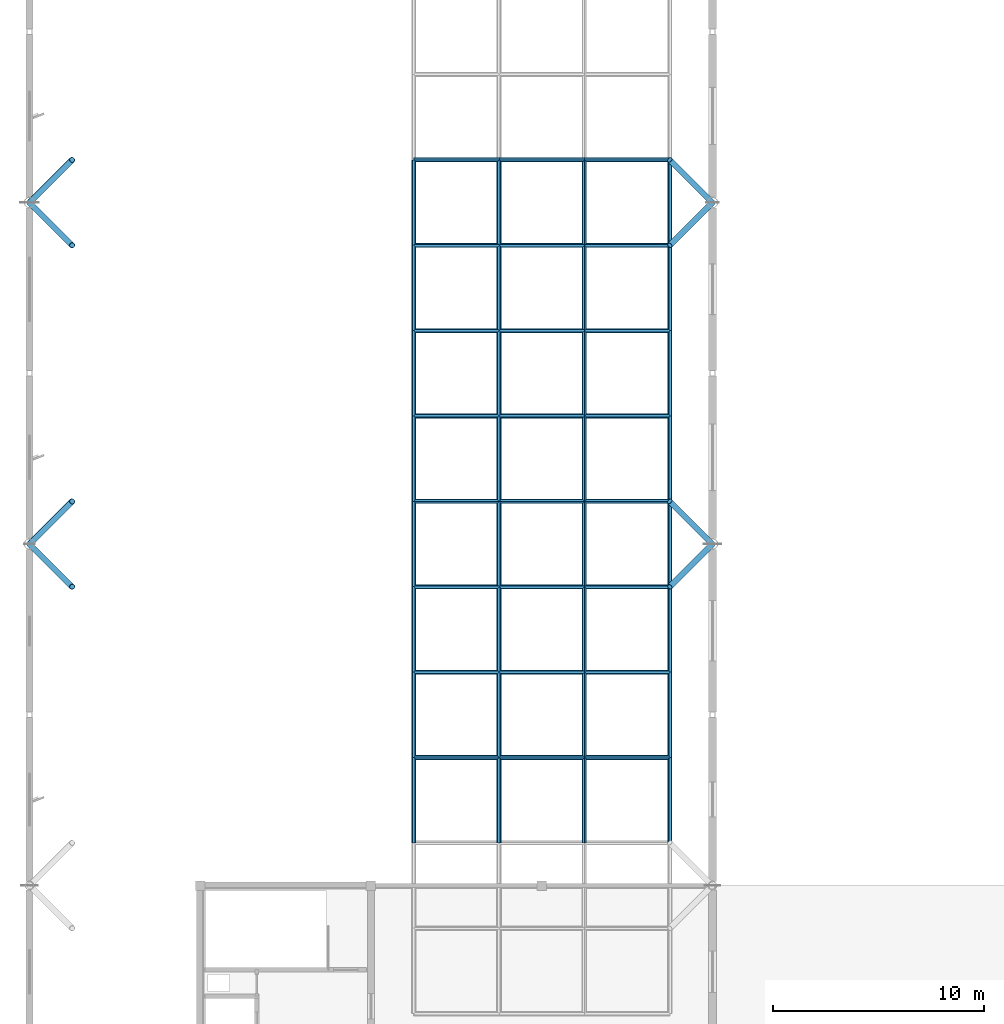
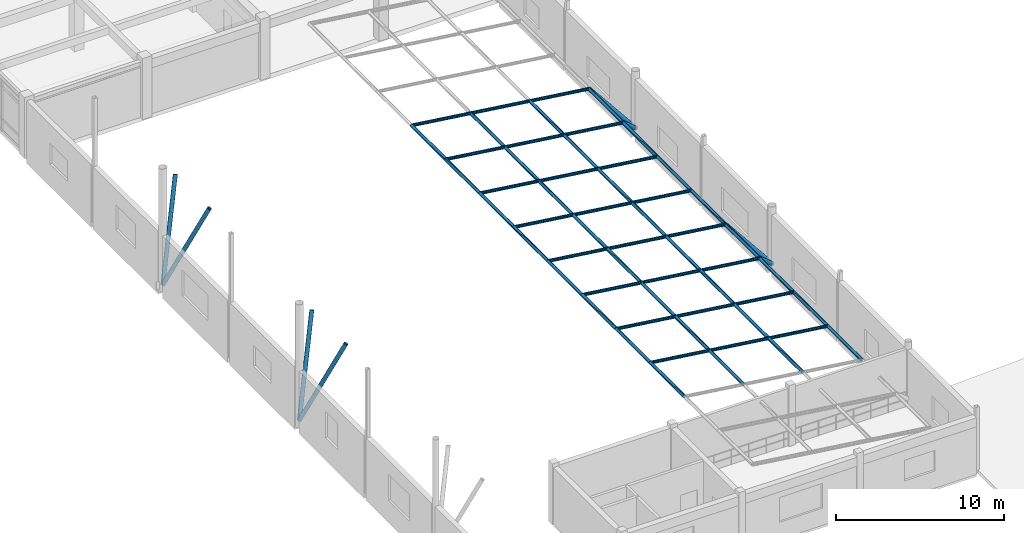
# One storey, part 29 of 89: 64 members.
"""IFC4 building model written with IfcOpenShell, lengths in metres."""

from ifc_helpers import new_model, si_unit, direction, frame, origin, origin_2d, place, context, subcontext, project, spatial, hollow_circle, extrude, material, material_profile, profile_set, type_object, element, save


model = new_model("IFC4")

# Units and contexts
model_context = context("Model", 3, precision=1e-05, world=origin(), true_north=direction((0.0, 1.0)))
body_context = subcontext(model_context, "Body", "Model", "MODEL_VIEW")
ifc_project = project(units=[si_unit("LENGTHUNIT", "METRE"), si_unit("AREAUNIT", "SQUARE_METRE"), si_unit("VOLUMEUNIT", "CUBIC_METRE"), si_unit("PLANEANGLEUNIT", "RADIAN"), si_unit("MASSUNIT", "GRAM", prefix="KILO")], contexts=[model_context])

# Site, building, storey
site_placement = place(None, origin())
site = spatial("IfcSite", under=ifc_project, at=site_placement, CompositionType="ELEMENT")
building_placement = place(site_placement, origin())
building = spatial("IfcBuilding", under=site, at=building_placement, Name="Vaudrelin Polytechnic", CompositionType="ELEMENT")
storey_placement = place(building_placement, frame((0.0, 0.0, 9.68994140625)))
storey = spatial("IfcBuildingStorey", under=building, at=storey_placement, Name="L02", CompositionType="ELEMENT", Elevation=9.68994140625)

# Members
ifc_material = material(Name="Steel CSA G40.21 350WT", Category="steel")
ifc_material_profile_1 = material_profile(ifc_material, hollow_circle(Radius=0.109619140625, WallThickness=0.010986328125, at=origin_2d()), Name="CHS219.1x11.1")
ifc_profile_set_1 = profile_set([ifc_material_profile_1], Name="Steel CSA G40.21 350WT")
member_type_1 = type_object("IfcMemberType", Name="MEM-SF-BC1", PredefinedType="CHORD", material=ifc_profile_set_1)
member_1_placement = place(storey_placement, frame((18.22509765625, 54.675048828125, 4.326171875), z_axis=(0.991443713746, 0.0, -0.13053490902), x_axis=(0.0, 1.0, 0.0)))
element("IfcMember", 1, at=member_1_placement, inside=storey, type_object=member_type_1, Name="Space frame bottom chord X 5-4", PredefinedType="CHORD", context=body_context, shape_type="SweptSolid", body=[
    extrude(hollow_circle(Radius=0.109619140625, WallThickness=0.010986328125, at=origin_2d()), origin(), (0.0, 0.0, 1.0), 4.084716796875),
])
for number, where, z_axis, x_axis, name in (
    (2, (22.27490234375, 54.675048828125, 3.79296875), (0.991444732077, 0.0, -0.130527174324), (0.0, 1.0, 0.0), "Space frame bottom chord X 6-4"),
    (3, (26.324951171875, 54.675048828125, 3.259765625), (0.991444732077, 0.0, -0.130527174324), (0.0, 1.0, 0.0), "Space frame bottom chord X 7-4"),
):
    element("IfcMember", number, at=place(storey_placement, frame(where, z_axis=z_axis, x_axis=x_axis)), inside=storey, type_object=member_type_1, Name=name, PredefinedType="CHORD", context=body_context, shape_type="SweptSolid", body=[
        extrude(hollow_circle(Radius=0.109619140625, WallThickness=0.010986328125, at=origin_2d()), origin(), (0.0, 0.0, 1.0), 4.0849609375),
    ])
member_2_placement = place(storey_placement, frame((18.22509765625, 58.72509765625, 4.326171875), z_axis=(0.991443713746, 0.0, -0.13053490902), x_axis=(0.0, 1.0, 0.0)))
element("IfcMember", 4, at=member_2_placement, inside=storey, type_object=member_type_1, Name="Space frame bottom chord X 5-5", PredefinedType="CHORD", context=body_context, shape_type="SweptSolid", body=[
    extrude(hollow_circle(Radius=0.109619140625, WallThickness=0.010986328125, at=origin_2d()), origin(), (0.0, 0.0, 1.0), 4.084716796875),
])
for number, where, z_axis, x_axis, name in (
    (5, (22.27490234375, 58.72509765625, 3.79296875), (0.991444732077, 0.0, -0.130527174324), (0.0, 1.0, 0.0), "Space frame bottom chord X 6-5"),
    (6, (26.324951171875, 58.72509765625, 3.259765625), (0.991444732077, 0.0, -0.130527174324), (0.0, 1.0, 0.0), "Space frame bottom chord X 7-5"),
):
    element("IfcMember", number, at=place(storey_placement, frame(where, z_axis=z_axis, x_axis=x_axis)), inside=storey, type_object=member_type_1, Name=name, PredefinedType="CHORD", context=body_context, shape_type="SweptSolid", body=[
        extrude(hollow_circle(Radius=0.109619140625, WallThickness=0.010986328125, at=origin_2d()), origin(), (0.0, 0.0, 1.0), 4.0849609375),
    ])
member_3_placement = place(storey_placement, frame((18.22509765625, 62.77490234375, 4.326171875), z_axis=(0.991443713746, 0.0, -0.13053490902), x_axis=(0.0, 1.0, 0.0)))
element("IfcMember", 7, at=member_3_placement, inside=storey, type_object=member_type_1, Name="Space frame bottom chord X 5-6", PredefinedType="CHORD", context=body_context, shape_type="SweptSolid", body=[
    extrude(hollow_circle(Radius=0.109619140625, WallThickness=0.010986328125, at=origin_2d()), origin(), (0.0, 0.0, 1.0), 4.084716796875),
])
for number, where, z_axis, x_axis, name in (
    (8, (22.27490234375, 62.77490234375, 3.79296875), (0.991444732077, 0.0, -0.130527174324), (0.0, 1.0, 0.0), "Space frame bottom chord X 6-6"),
    (9, (26.324951171875, 62.77490234375, 3.259765625), (0.991444732077, 0.0, -0.130527174324), (0.0, 1.0, 0.0), "Space frame bottom chord X 7-6"),
):
    element("IfcMember", number, at=place(storey_placement, frame(where, z_axis=z_axis, x_axis=x_axis)), inside=storey, type_object=member_type_1, Name=name, PredefinedType="CHORD", context=body_context, shape_type="SweptSolid", body=[
        extrude(hollow_circle(Radius=0.109619140625, WallThickness=0.010986328125, at=origin_2d()), origin(), (0.0, 0.0, 1.0), 4.0849609375),
    ])
member_4_placement = place(storey_placement, frame((18.22509765625, 66.824951171875, 4.326171875), z_axis=(0.991443713746, 0.0, -0.13053490902), x_axis=(0.0, 1.0, 0.0)))
element("IfcMember", 10, at=member_4_placement, inside=storey, type_object=member_type_1, Name="Space frame bottom chord X 5-7", PredefinedType="CHORD", context=body_context, shape_type="SweptSolid", body=[
    extrude(hollow_circle(Radius=0.109619140625, WallThickness=0.010986328125, at=origin_2d()), origin(), (0.0, 0.0, 1.0), 4.084716796875),
])
for number, where, z_axis, x_axis, name in (
    (11, (22.27490234375, 66.824951171875, 3.79296875), (0.991444732077, 0.0, -0.130527174324), (0.0, 1.0, 0.0), "Space frame bottom chord X 6-7"),
    (12, (26.324951171875, 66.824951171875, 3.259765625), (0.991444732077, 0.0, -0.130527174324), (0.0, 1.0, 0.0), "Space frame bottom chord X 7-7"),
):
    element("IfcMember", number, at=place(storey_placement, frame(where, z_axis=z_axis, x_axis=x_axis)), inside=storey, type_object=member_type_1, Name=name, PredefinedType="CHORD", context=body_context, shape_type="SweptSolid", body=[
        extrude(hollow_circle(Radius=0.109619140625, WallThickness=0.010986328125, at=origin_2d()), origin(), (0.0, 0.0, 1.0), 4.0849609375),
    ])
member_5_placement = place(storey_placement, frame((18.22509765625, 70.875, 4.326171875), z_axis=(0.991443713746, 0.0, -0.13053490902), x_axis=(0.0, 1.0, 0.0)))
element("IfcMember", 13, at=member_5_placement, inside=storey, type_object=member_type_1, Name="Space frame bottom chord X 5-8", PredefinedType="CHORD", context=body_context, shape_type="SweptSolid", body=[
    extrude(hollow_circle(Radius=0.109619140625, WallThickness=0.010986328125, at=origin_2d()), origin(), (0.0, 0.0, 1.0), 4.084716796875),
])
for number, where, z_axis, x_axis, name in (
    (14, (22.27490234375, 70.875, 3.79296875), (0.991444732077, 0.0, -0.130527174324), (0.0, 1.0, 0.0), "Space frame bottom chord X 6-8"),
    (15, (26.324951171875, 70.875, 3.259765625), (0.991444732077, 0.0, -0.130527174324), (0.0, 1.0, 0.0), "Space frame bottom chord X 7-8"),
):
    element("IfcMember", number, at=place(storey_placement, frame(where, z_axis=z_axis, x_axis=x_axis)), inside=storey, type_object=member_type_1, Name=name, PredefinedType="CHORD", context=body_context, shape_type="SweptSolid", body=[
        extrude(hollow_circle(Radius=0.109619140625, WallThickness=0.010986328125, at=origin_2d()), origin(), (0.0, 0.0, 1.0), 4.0849609375),
    ])
member_6_placement = place(storey_placement, frame((18.22509765625, 74.925048828125, 4.326171875), z_axis=(0.991443713746, 0.0, -0.13053490902), x_axis=(0.0, 1.0, 0.0)))
element("IfcMember", 16, at=member_6_placement, inside=storey, type_object=member_type_1, Name="Space frame bottom chord X 5-9", PredefinedType="CHORD", context=body_context, shape_type="SweptSolid", body=[
    extrude(hollow_circle(Radius=0.109619140625, WallThickness=0.010986328125, at=origin_2d()), origin(), (0.0, 0.0, 1.0), 4.084716796875),
])
for number, where, z_axis, x_axis, name in (
    (17, (22.27490234375, 74.925048828125, 3.79296875), (0.991444732077, 0.0, -0.130527174324), (0.0, 1.0, 0.0), "Space frame bottom chord X 6-9"),
    (18, (26.324951171875, 74.925048828125, 3.259765625), (0.991444732077, 0.0, -0.130527174324), (0.0, 1.0, 0.0), "Space frame bottom chord X 7-9"),
):
    element("IfcMember", number, at=place(storey_placement, frame(where, z_axis=z_axis, x_axis=x_axis)), inside=storey, type_object=member_type_1, Name=name, PredefinedType="CHORD", context=body_context, shape_type="SweptSolid", body=[
        extrude(hollow_circle(Radius=0.109619140625, WallThickness=0.010986328125, at=origin_2d()), origin(), (0.0, 0.0, 1.0), 4.0849609375),
    ])
member_7_placement = place(storey_placement, frame((18.22509765625, 78.97509765625, 4.326171875), z_axis=(0.991443713746, 0.0, -0.13053490902), x_axis=(0.0, 1.0, 0.0)))
element("IfcMember", 19, at=member_7_placement, inside=storey, type_object=member_type_1, Name="Space frame bottom chord X 5-10", PredefinedType="CHORD", context=body_context, shape_type="SweptSolid", body=[
    extrude(hollow_circle(Radius=0.109619140625, WallThickness=0.010986328125, at=origin_2d()), origin(), (0.0, 0.0, 1.0), 4.084716796875),
])
for number, where, z_axis, x_axis, name in (
    (20, (22.27490234375, 78.97509765625, 3.79296875), (0.991444732077, 0.0, -0.130527174324), (0.0, 1.0, 0.0), "Space frame bottom chord X 6-10"),
    (21, (26.324951171875, 78.97509765625, 3.259765625), (0.991444732077, 0.0, -0.130527174324), (0.0, 1.0, 0.0), "Space frame bottom chord X 7-10"),
):
    element("IfcMember", number, at=place(storey_placement, frame(where, z_axis=z_axis, x_axis=x_axis)), inside=storey, type_object=member_type_1, Name=name, PredefinedType="CHORD", context=body_context, shape_type="SweptSolid", body=[
        extrude(hollow_circle(Radius=0.109619140625, WallThickness=0.010986328125, at=origin_2d()), origin(), (0.0, 0.0, 1.0), 4.0849609375),
    ])
member_8_placement = place(storey_placement, frame((18.22509765625, 83.02490234375, 4.326171875), z_axis=(0.991443713746, 0.0, -0.13053490902), x_axis=(0.0, 1.0, 0.0)))
element("IfcMember", 22, at=member_8_placement, inside=storey, type_object=member_type_1, Name="Space frame bottom chord X 5-11", PredefinedType="CHORD", context=body_context, shape_type="SweptSolid", body=[
    extrude(hollow_circle(Radius=0.109619140625, WallThickness=0.010986328125, at=origin_2d()), origin(), (0.0, 0.0, 1.0), 4.084716796875),
])
for number, where, z_axis, x_axis, name in (
    (23, (22.27490234375, 83.02490234375, 3.79296875), (0.991444732077, 0.0, -0.130527174324), (0.0, 1.0, 0.0), "Space frame bottom chord X 6-11"),
    (24, (26.324951171875, 83.02490234375, 3.259765625), (0.991444732077, 0.0, -0.130527174324), (0.0, 1.0, 0.0), "Space frame bottom chord X 7-11"),
):
    element("IfcMember", number, at=place(storey_placement, frame(where, z_axis=z_axis, x_axis=x_axis)), inside=storey, type_object=member_type_1, Name=name, PredefinedType="CHORD", context=body_context, shape_type="SweptSolid", body=[
        extrude(hollow_circle(Radius=0.109619140625, WallThickness=0.010986328125, at=origin_2d()), origin(), (0.0, 0.0, 1.0), 4.0849609375),
    ])
for number, where, z_axis, x_axis, name in (
    (25, (18.22509765625, 50.625, 4.326171875), (0.0, 1.0, 0.0), (-1.0, 0.0, 0.0), "Space frame bottom chord Y 5-3"),
    (26, (18.22509765625, 54.675048828125, 4.326171875), (0.0, 1.0, 0.0), (-1.0, 0.0, 0.0), "Space frame bottom chord Y 5-4"),
):
    element("IfcMember", number, at=place(storey_placement, frame(where, z_axis=z_axis, x_axis=x_axis)), inside=storey, type_object=member_type_1, Name=name, PredefinedType="CHORD", context=body_context, shape_type="SweptSolid", body=[
        extrude(hollow_circle(Radius=0.109619140625, WallThickness=0.010986328125, at=origin_2d()), origin(), (0.0, 0.0, 1.0), 4.050048828125),
    ])
member_9_placement = place(storey_placement, frame((18.22509765625, 58.72509765625, 4.326171875), z_axis=(0.0, 1.0, 0.0), x_axis=(-1.0, 0.0, 0.0)))
element("IfcMember", 27, at=member_9_placement, inside=storey, type_object=member_type_1, Name="Space frame bottom chord Y 5-5", PredefinedType="CHORD", context=body_context, shape_type="SweptSolid", body=[
    extrude(hollow_circle(Radius=0.109619140625, WallThickness=0.010986328125, at=origin_2d()), origin(), (0.0, 0.0, 1.0), 4.0498046875),
])
for number, where, z_axis, x_axis, name in (
    (28, (18.22509765625, 62.77490234375, 4.326171875), (0.0, 1.0, 0.0), (-1.0, 0.0, 0.0), "Space frame bottom chord Y 5-6"),
    (29, (18.22509765625, 66.824951171875, 4.326171875), (0.0, 1.0, 0.0), (-1.0, 0.0, 0.0), "Space frame bottom chord Y 5-7"),
    (30, (18.22509765625, 70.875, 4.326171875), (0.0, 1.0, 0.0), (-1.0, 0.0, 0.0), "Space frame bottom chord Y 5-8"),
    (31, (18.22509765625, 74.925048828125, 4.326171875), (0.0, 1.0, 0.0), (-1.0, 0.0, 0.0), "Space frame bottom chord Y 5-9"),
):
    element("IfcMember", number, at=place(storey_placement, frame(where, z_axis=z_axis, x_axis=x_axis)), inside=storey, type_object=member_type_1, Name=name, PredefinedType="CHORD", context=body_context, shape_type="SweptSolid", body=[
        extrude(hollow_circle(Radius=0.109619140625, WallThickness=0.010986328125, at=origin_2d()), origin(), (0.0, 0.0, 1.0), 4.050048828125),
    ])
member_10_placement = place(storey_placement, frame((18.22509765625, 78.97509765625, 4.326171875), z_axis=(0.0, 1.0, 0.0), x_axis=(-1.0, 0.0, 0.0)))
element("IfcMember", 32, at=member_10_placement, inside=storey, type_object=member_type_1, Name="Space frame bottom chord Y 5-10", PredefinedType="CHORD", context=body_context, shape_type="SweptSolid", body=[
    extrude(hollow_circle(Radius=0.109619140625, WallThickness=0.010986328125, at=origin_2d()), origin(), (0.0, 0.0, 1.0), 4.0498046875),
])
for number, where, z_axis, x_axis, name in (
    (33, (22.27490234375, 50.625, 3.79296875), (0.0, 1.0, 0.0), (-1.0, 0.0, 0.0), "Space frame bottom chord Y 6-3"),
    (34, (22.27490234375, 54.675048828125, 3.79296875), (0.0, 1.0, 0.0), (-1.0, 0.0, 0.0), "Space frame bottom chord Y 6-4"),
):
    element("IfcMember", number, at=place(storey_placement, frame(where, z_axis=z_axis, x_axis=x_axis)), inside=storey, type_object=member_type_1, Name=name, PredefinedType="CHORD", context=body_context, shape_type="SweptSolid", body=[
        extrude(hollow_circle(Radius=0.109619140625, WallThickness=0.010986328125, at=origin_2d()), origin(), (0.0, 0.0, 1.0), 4.050048828125),
    ])
member_11_placement = place(storey_placement, frame((22.27490234375, 58.72509765625, 3.79296875), z_axis=(0.0, 1.0, 0.0), x_axis=(-1.0, 0.0, 0.0)))
element("IfcMember", 35, at=member_11_placement, inside=storey, type_object=member_type_1, Name="Space frame bottom chord Y 6-5", PredefinedType="CHORD", context=body_context, shape_type="SweptSolid", body=[
    extrude(hollow_circle(Radius=0.109619140625, WallThickness=0.010986328125, at=origin_2d()), origin(), (0.0, 0.0, 1.0), 4.0498046875),
])
for number, where, z_axis, x_axis, name in (
    (36, (22.27490234375, 62.77490234375, 3.79296875), (0.0, 1.0, 0.0), (-1.0, 0.0, 0.0), "Space frame bottom chord Y 6-6"),
    (37, (22.27490234375, 66.824951171875, 3.79296875), (0.0, 1.0, 0.0), (-1.0, 0.0, 0.0), "Space frame bottom chord Y 6-7"),
    (38, (22.27490234375, 70.875, 3.79296875), (0.0, 1.0, 0.0), (-1.0, 0.0, 0.0), "Space frame bottom chord Y 6-8"),
    (39, (22.27490234375, 74.925048828125, 3.79296875), (0.0, 1.0, 0.0), (-1.0, 0.0, 0.0), "Space frame bottom chord Y 6-9"),
):
    element("IfcMember", number, at=place(storey_placement, frame(where, z_axis=z_axis, x_axis=x_axis)), inside=storey, type_object=member_type_1, Name=name, PredefinedType="CHORD", context=body_context, shape_type="SweptSolid", body=[
        extrude(hollow_circle(Radius=0.109619140625, WallThickness=0.010986328125, at=origin_2d()), origin(), (0.0, 0.0, 1.0), 4.050048828125),
    ])
member_12_placement = place(storey_placement, frame((22.27490234375, 78.97509765625, 3.79296875), z_axis=(0.0, 1.0, 0.0), x_axis=(-1.0, 0.0, 0.0)))
element("IfcMember", 40, at=member_12_placement, inside=storey, type_object=member_type_1, Name="Space frame bottom chord Y 6-10", PredefinedType="CHORD", context=body_context, shape_type="SweptSolid", body=[
    extrude(hollow_circle(Radius=0.109619140625, WallThickness=0.010986328125, at=origin_2d()), origin(), (0.0, 0.0, 1.0), 4.0498046875),
])
for number, where, z_axis, x_axis, name in (
    (41, (26.324951171875, 50.625, 3.259765625), (0.0, 1.0, 0.0), (-1.0, 0.0, 0.0), "Space frame bottom chord Y 7-3"),
    (42, (26.324951171875, 54.675048828125, 3.259765625), (0.0, 1.0, 0.0), (-1.0, 0.0, 0.0), "Space frame bottom chord Y 7-4"),
):
    element("IfcMember", number, at=place(storey_placement, frame(where, z_axis=z_axis, x_axis=x_axis)), inside=storey, type_object=member_type_1, Name=name, PredefinedType="CHORD", context=body_context, shape_type="SweptSolid", body=[
        extrude(hollow_circle(Radius=0.109619140625, WallThickness=0.010986328125, at=origin_2d()), origin(), (0.0, 0.0, 1.0), 4.050048828125),
    ])
member_13_placement = place(storey_placement, frame((26.324951171875, 58.72509765625, 3.259765625), z_axis=(0.0, 1.0, 0.0), x_axis=(-1.0, 0.0, 0.0)))
element("IfcMember", 43, at=member_13_placement, inside=storey, type_object=member_type_1, Name="Space frame bottom chord Y 7-5", PredefinedType="CHORD", context=body_context, shape_type="SweptSolid", body=[
    extrude(hollow_circle(Radius=0.109619140625, WallThickness=0.010986328125, at=origin_2d()), origin(), (0.0, 0.0, 1.0), 4.0498046875),
])
for number, where, z_axis, x_axis, name in (
    (44, (26.324951171875, 62.77490234375, 3.259765625), (0.0, 1.0, 0.0), (-1.0, 0.0, 0.0), "Space frame bottom chord Y 7-6"),
    (45, (26.324951171875, 66.824951171875, 3.259765625), (0.0, 1.0, 0.0), (-1.0, 0.0, 0.0), "Space frame bottom chord Y 7-7"),
    (46, (26.324951171875, 70.875, 3.259765625), (0.0, 1.0, 0.0), (-1.0, 0.0, 0.0), "Space frame bottom chord Y 7-8"),
    (47, (26.324951171875, 74.925048828125, 3.259765625), (0.0, 1.0, 0.0), (-1.0, 0.0, 0.0), "Space frame bottom chord Y 7-9"),
):
    element("IfcMember", number, at=place(storey_placement, frame(where, z_axis=z_axis, x_axis=x_axis)), inside=storey, type_object=member_type_1, Name=name, PredefinedType="CHORD", context=body_context, shape_type="SweptSolid", body=[
        extrude(hollow_circle(Radius=0.109619140625, WallThickness=0.010986328125, at=origin_2d()), origin(), (0.0, 0.0, 1.0), 4.050048828125),
    ])
member_14_placement = place(storey_placement, frame((26.324951171875, 78.97509765625, 3.259765625), z_axis=(0.0, 1.0, 0.0), x_axis=(-1.0, 0.0, 0.0)))
element("IfcMember", 48, at=member_14_placement, inside=storey, type_object=member_type_1, Name="Space frame bottom chord Y 7-10", PredefinedType="CHORD", context=body_context, shape_type="SweptSolid", body=[
    extrude(hollow_circle(Radius=0.109619140625, WallThickness=0.010986328125, at=origin_2d()), origin(), (0.0, 0.0, 1.0), 4.0498046875),
])
for number, where, z_axis, x_axis, name in (
    (49, (30.375, 50.625, 2.7265625), (0.0, 1.0, 0.0), (-1.0, 0.0, 0.0), "Space frame bottom chord Y 8-3"),
    (50, (30.375, 54.675048828125, 2.7265625), (0.0, 1.0, 0.0), (-1.0, 0.0, 0.0), "Space frame bottom chord Y 8-4"),
):
    element("IfcMember", number, at=place(storey_placement, frame(where, z_axis=z_axis, x_axis=x_axis)), inside=storey, type_object=member_type_1, Name=name, PredefinedType="CHORD", context=body_context, shape_type="SweptSolid", body=[
        extrude(hollow_circle(Radius=0.109619140625, WallThickness=0.010986328125, at=origin_2d()), origin(), (0.0, 0.0, 1.0), 4.050048828125),
    ])
member_15_placement = place(storey_placement, frame((30.375, 58.72509765625, 2.7265625), z_axis=(0.0, 1.0, 0.0), x_axis=(-1.0, 0.0, 0.0)))
element("IfcMember", 51, at=member_15_placement, inside=storey, type_object=member_type_1, Name="Space frame bottom chord Y 8-5", PredefinedType="CHORD", context=body_context, shape_type="SweptSolid", body=[
    extrude(hollow_circle(Radius=0.109619140625, WallThickness=0.010986328125, at=origin_2d()), origin(), (0.0, 0.0, 1.0), 4.0498046875),
])
for number, where, z_axis, x_axis, name in (
    (52, (30.375, 62.77490234375, 2.7265625), (0.0, 1.0, 0.0), (-1.0, 0.0, 0.0), "Space frame bottom chord Y 8-6"),
    (53, (30.375, 66.824951171875, 2.7265625), (0.0, 1.0, 0.0), (-1.0, 0.0, 0.0), "Space frame bottom chord Y 8-7"),
    (54, (30.375, 70.875, 2.7265625), (0.0, 1.0, 0.0), (-1.0, 0.0, 0.0), "Space frame bottom chord Y 8-8"),
    (55, (30.375, 74.925048828125, 2.7265625), (0.0, 1.0, 0.0), (-1.0, 0.0, 0.0), "Space frame bottom chord Y 8-9"),
):
    element("IfcMember", number, at=place(storey_placement, frame(where, z_axis=z_axis, x_axis=x_axis)), inside=storey, type_object=member_type_1, Name=name, PredefinedType="CHORD", context=body_context, shape_type="SweptSolid", body=[
        extrude(hollow_circle(Radius=0.109619140625, WallThickness=0.010986328125, at=origin_2d()), origin(), (0.0, 0.0, 1.0), 4.050048828125),
    ])
member_16_placement = place(storey_placement, frame((30.375, 78.97509765625, 2.7265625), z_axis=(0.0, 1.0, 0.0), x_axis=(-1.0, 0.0, 0.0)))
element("IfcMember", 56, at=member_16_placement, inside=storey, type_object=member_type_1, Name="Space frame bottom chord Y 8-10", PredefinedType="CHORD", context=body_context, shape_type="SweptSolid", body=[
    extrude(hollow_circle(Radius=0.109619140625, WallThickness=0.010986328125, at=origin_2d()), origin(), (0.0, 0.0, 1.0), 4.0498046875),
])
ifc_material_profile_2 = material_profile(ifc_material, hollow_circle(Radius=0.136474609375, WallThickness=0.0126953125, at=origin_2d()), Name="CHS273.1x12.7")
ifc_profile_set_2 = profile_set([ifc_material_profile_2], Name="Steel CSA G40.21 350WT")
member_type_2 = type_object("IfcMemberType", Name="MEM-TR-BR1", PredefinedType="BRACE", material=ifc_profile_set_2)
member_17_placement = place(storey_placement, frame((0.0, 64.800048828125, 0.400146484375), z_axis=(0.302153683271, -0.302190113665, 0.90409307424), x_axis=(0.707149404941, 0.707064154862, 0.0)))
element("IfcMember", 57, at=member_17_placement, inside=storey, type_object=member_type_2, Name="Space frame tree branch strut 2.1", PredefinedType="BRACE", context=body_context, shape_type="SweptSolid", body=[
    extrude(hollow_circle(Radius=0.136474609375, WallThickness=0.0126953125, at=origin_2d()), origin(), (0.0, 0.0, 1.0), 6.70166015625),
])
for number, where, z_axis, x_axis, name in (
    (58, (0.0, 64.800048828125, 0.400146484375), (0.302157009507, 0.302157009507, 0.904103026879), (-0.707106781187, 0.707106781187, 0.0), "Space frame tree branch strut 2.2"),
    (59, (0.0, 81.0, 0.400146484375), (0.302157009507, -0.302157009507, 0.904103026879), (0.707106781187, 0.707106781187, 0.0), "Space frame tree branch strut 3.1"),
    (60, (0.0, 81.0, 0.400146484375), (0.302157009507, 0.302157009507, 0.904103026879), (-0.707106781187, 0.707106781187, 0.0), "Space frame tree branch strut 3.2"),
):
    element("IfcMember", number, at=place(storey_placement, frame(where, z_axis=z_axis, x_axis=x_axis)), inside=storey, type_object=member_type_2, Name=name, PredefinedType="BRACE", context=body_context, shape_type="SweptSolid", body=[
        extrude(hollow_circle(Radius=0.136474609375, WallThickness=0.0126953125, at=origin_2d()), origin(), (0.0, 0.0, 1.0), 6.701416015625),
    ])
member_18_placement = place(storey_placement, frame((32.39990234375, 64.800048828125, 0.400146484375), z_axis=(-0.548803212425, -0.548869381127, 0.630521559103), x_axis=(0.707149404941, -0.707064154862, 0.0)))
element("IfcMember", 61, at=member_18_placement, inside=storey, type_object=member_type_2, Name="Space frame tree branch strut 5.1", PredefinedType="BRACE", context=body_context, shape_type="SweptSolid", body=[
    extrude(hollow_circle(Radius=0.136474609375, WallThickness=0.0126953125, at=origin_2d()), origin(), (0.0, 0.0, 1.0), 3.689697265625),
])
for number, where, z_axis, x_axis, name in (
    (62, (32.39990234375, 64.800048828125, 0.400146484375), (-0.54882314373, 0.54882314373, 0.630544458236), (-0.707106781187, -0.707106781187, 0.0), "Space frame tree branch strut 5.2"),
    (63, (32.39990234375, 81.0, 0.400146484375), (-0.54882314373, -0.54882314373, 0.630544458236), (0.707106781187, -0.707106781187, 0.0), "Space frame tree branch strut 6.1"),
    (64, (32.39990234375, 81.0, 0.400146484375), (-0.54882314373, 0.54882314373, 0.630544458236), (-0.707106781187, -0.707106781187, 0.0), "Space frame tree branch strut 6.2"),
):
    element("IfcMember", number, at=place(storey_placement, frame(where, z_axis=z_axis, x_axis=x_axis)), inside=storey, type_object=member_type_2, Name=name, PredefinedType="BRACE", context=body_context, shape_type="SweptSolid", body=[
        extrude(hollow_circle(Radius=0.136474609375, WallThickness=0.0126953125, at=origin_2d()), origin(), (0.0, 0.0, 1.0), 3.689453125),
    ])

save(model, "model.ifc")
